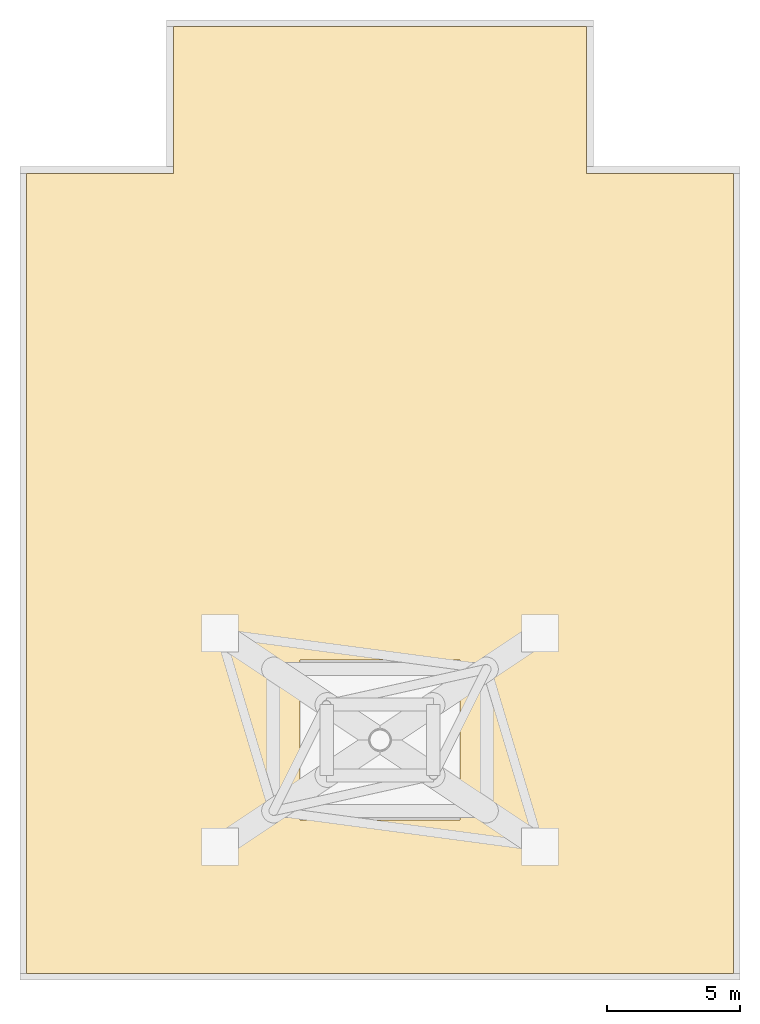
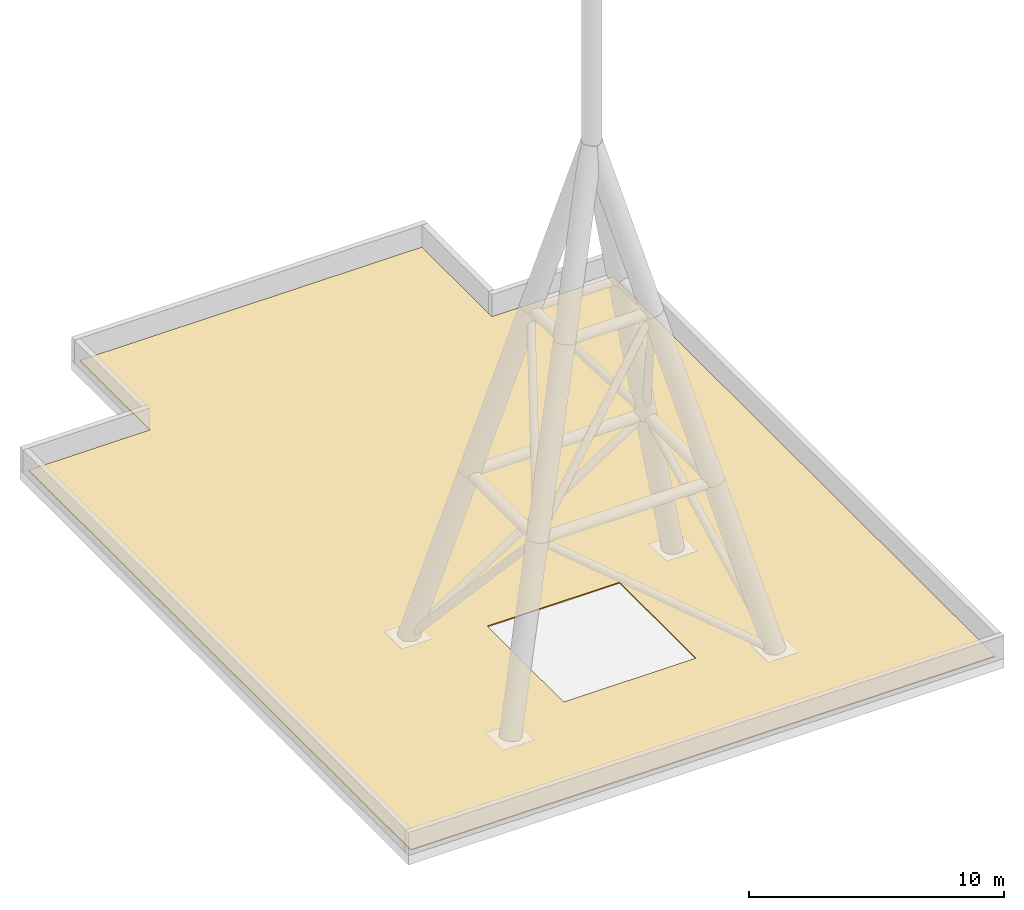
# One storey, part 2 of 2: 1 covering.
"""IFC4 building model written with IfcOpenShell, lengths in metres."""

from ifc_helpers import new_model, si_unit, direction, frame, origin, place, context, subcontext, project, spatial, polyline, outline, extrude, material, layer, layer_set, type_object, element, save


model = new_model("IFC4")

# Units and contexts
model_context = context("Model", 3, precision=1e-05, world=origin(), true_north=direction((0.0, 1.0)))
body_context = subcontext(model_context, "Body", "Model", "MODEL_VIEW")
ifc_project = project(units=[si_unit("LENGTHUNIT", "METRE"), si_unit("AREAUNIT", "SQUARE_METRE"), si_unit("VOLUMEUNIT", "CUBIC_METRE"), si_unit("PLANEANGLEUNIT", "RADIAN"), si_unit("MASSUNIT", "GRAM", prefix="KILO")], contexts=[model_context])

# Site, building, storey
site_placement = place(None, origin())
site = spatial("IfcSite", under=ifc_project, at=site_placement, CompositionType="ELEMENT")
building_placement = place(site_placement, origin())
building = spatial("IfcBuilding", under=site, at=building_placement, Name="Finial Court Residences", CompositionType="ELEMENT")
storey_placement = place(building_placement, frame((0.0, 0.0, 325.699951171875)))
storey = spatial("IfcBuildingStorey", under=building, at=storey_placement, Name="Roof", CompositionType="ELEMENT", Elevation=325.699951171875)

# Covering
ifc_material = material(Name="Bitumen membrane")
ifc_layer = layer(ifc_material, 0.050048828125)
ifc_layer_set = layer_set([ifc_layer], Name="Roofing, bitumen membrane 50")
covering_type = type_object("IfcCoveringType", Name="Roofing, bitumen membrane 50", PredefinedType="ROOFING", material=ifc_layer_set)
covering_placement = place(storey_placement, origin())
element("IfcCovering", 1, at=covering_placement, inside=storey, type_object=covering_type, Name="E-ROOF-COVER1", PredefinedType="ROOFING", context=body_context, shape_type="SweptSolid", body=[
    extrude(outline(polyline([(-13.25, -25.25), (-13.25, 4.75), (-7.75, 4.75), (-7.75, 10.25), (7.75, 10.25), (7.75, 4.75), (13.25, 4.75), (13.25, -25.25), (-13.25, -25.25)]), holes=[polyline([(3.0, -13.5), (-3.0, -13.5), (-3.0, -19.5), (3.0, -19.5), (3.0, -13.5)])]), origin(), (0.0, 0.0, 1.0), 0.050048828125),
])

save(model, "model.ifc")
